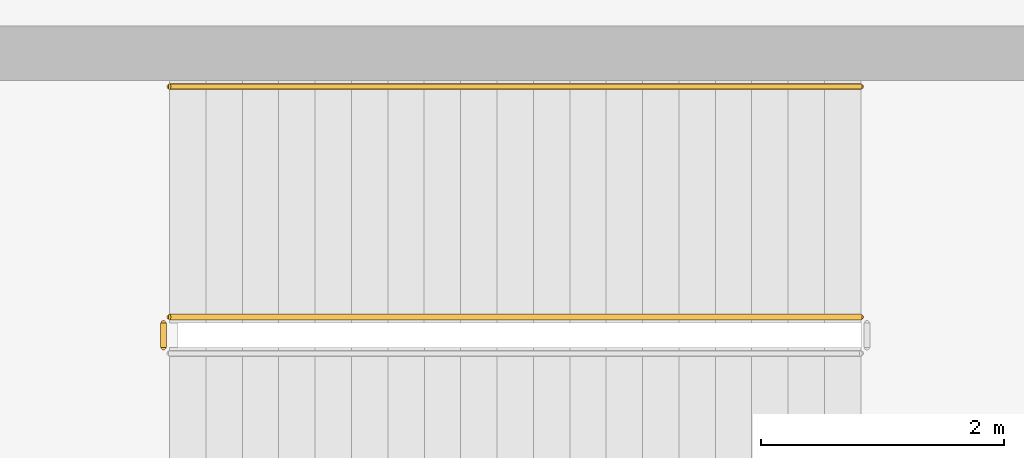
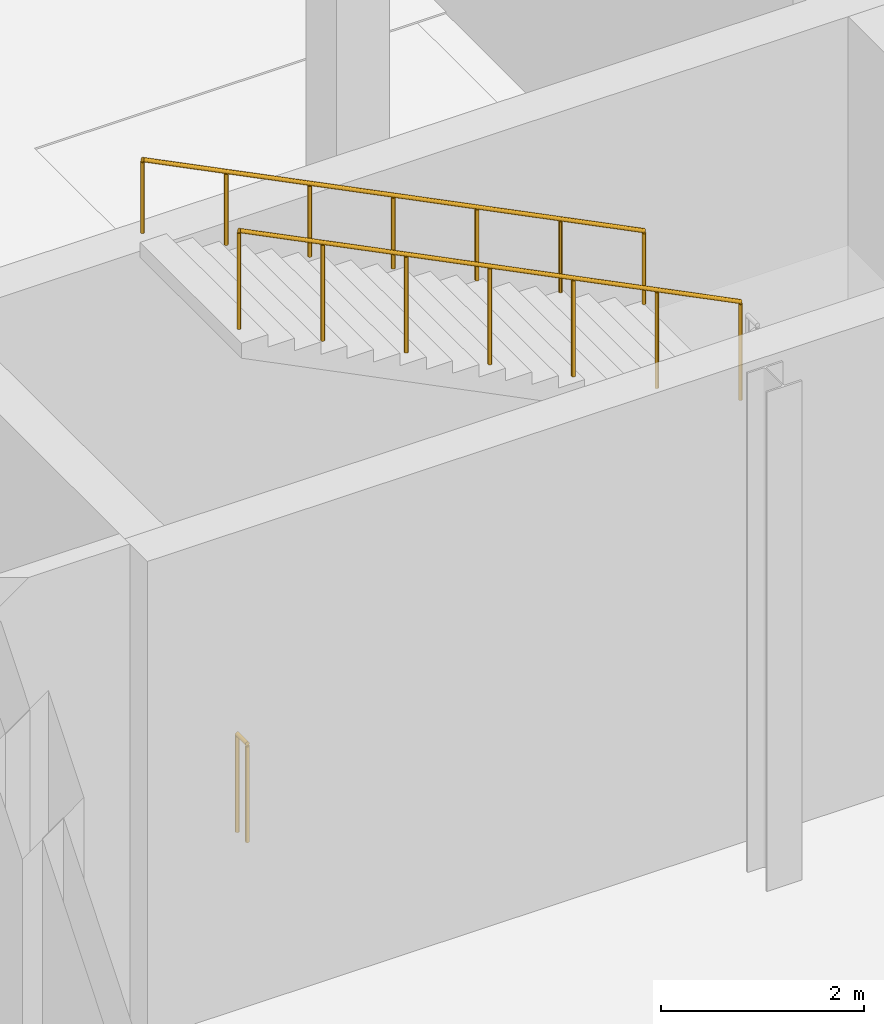
# One storey, part 68 of 85: 3 railings.
"""IFC4 building model written with IfcOpenShell, lengths in metres."""

from ifc_helpers import new_model, si_unit, direction, frame, origin, origin_2d, place, context, subcontext, project, spatial, circle, extrude, material, type_object, element, save


model = new_model("IFC4")

# Units and contexts
model_context = context("Model", 3, precision=1e-05, world=origin(), true_north=direction((0.0, 1.0)))
body_context = subcontext(model_context, "Body", "Model", "MODEL_VIEW")
ifc_project = project(units=[si_unit("LENGTHUNIT", "METRE"), si_unit("AREAUNIT", "SQUARE_METRE"), si_unit("VOLUMEUNIT", "CUBIC_METRE"), si_unit("PLANEANGLEUNIT", "RADIAN"), si_unit("MASSUNIT", "GRAM", prefix="KILO"), si_unit("THERMODYNAMICTEMPERATUREUNIT", "KELVIN")], contexts=[model_context])

# Site, building, storey
site_placement = place(None, origin())
site = spatial("IfcSite", under=ifc_project, at=site_placement, CompositionType="ELEMENT")
building_placement = place(site_placement, origin())
building = spatial("IfcBuilding", under=site, at=building_placement, Name="Lustrewick Department Store", CompositionType="ELEMENT")
storey_placement = place(building_placement, origin())
storey = spatial("IfcBuildingStorey", under=building, at=storey_placement, Name="L01", CompositionType="ELEMENT", Elevation=0.0)

# Railings
ifc_material_1 = material(Name="Painted tubular steel stairwell guardrail", Category="steel")
railing_type_1 = type_object("IfcRailingType", Name="RL-STG", PredefinedType="GUARDRAIL", material=ifc_material_1)
railing_1_placement = place(storey_placement, frame((127.550048828125, 20.14990234375, 3.14990234375)))
element("IfcRailing", 1, at=railing_1_placement, inside=storey, type_object=railing_type_1, Name="L01 ST07 Stair Guard 3", PredefinedType="GUARDRAIL", context=body_context, shape_type="SweptSolid", body=[
    extrude(circle(Radius=0.02392578125, at=origin_2d()), frame((0.0, 0.0, 1.17578125), z_axis=(-0.894419528903, 0.0, 0.447228919365), x_axis=(0.0, -1.0, 0.0)), (0.0, 0.0, 1.0), 6.372802734375),
    extrude(circle(Radius=0.02099609375, at=origin_2d()), origin(), (0.0, 0.0, 1.0), 1.15185546875),
    extrude(circle(Radius=0.02099609375, at=origin_2d()), frame((-0.949951171875, 0.0, 0.47509765625)), (0.0, 0.0, 1.0), 1.15185546875),
    extrude(circle(Radius=0.02099609375, at=origin_2d()), frame((-1.89990234375, 0.0, 0.949951171875)), (0.0, 0.0, 1.0), 1.15185546875),
    extrude(circle(Radius=0.02099609375, at=origin_2d()), frame((-2.85009765625, 0.0, 1.425048828125)), (0.0, 0.0, 1.0), 1.15185546875),
    extrude(circle(Radius=0.02099609375, at=origin_2d()), frame((-3.800048828125, 0.0, 1.900146484375)), (0.0, 0.0, 1.0), 1.15185546875),
    extrude(circle(Radius=0.02099609375, at=origin_2d()), frame((-4.75, 0.0, 2.375)), (0.0, 0.0, 1.0), 1.15185546875),
    extrude(circle(Radius=0.02099609375, at=origin_2d()), frame((-5.699951171875, 0.0, 2.85009765625)), (0.0, 0.0, 1.0), 1.15185546875),
])
railing_2_placement = place(storey_placement, frame((121.800048828125, 19.89990234375, 0.0)))
element("IfcRailing", 2, at=railing_2_placement, inside=storey, type_object=railing_type_1, Name="L01 ST07 Stair Guard 4", PredefinedType="GUARDRAIL", context=body_context, shape_type="SweptSolid", body=[
    extrude(circle(Radius=0.02392578125, at=origin_2d()), frame((0.0, 0.0, 1.17578125), z_axis=(0.0, 1.0, 0.0), x_axis=(-1.0, 0.0, 0.0)), (0.0, 0.0, 1.0), 0.2001953125),
    extrude(circle(Radius=0.02099609375, at=origin_2d()), origin(), (0.0, 0.0, 1.0), 1.15185546875),
    extrude(circle(Radius=0.02099609375, at=origin_2d()), frame((0.0, 0.2001953125, 0.0)), (0.0, 0.0, 1.0), 1.15185546875),
])
ifc_material_2 = material(Name="Brushed stainless steel wall handrail", Category="steel")
railing_type_2 = type_object("IfcRailingType", Name="RL-STH", PredefinedType="HANDRAIL", material=ifc_material_2)
railing_3_placement = place(storey_placement, frame((127.550048828125, 22.050048828125, 3.14990234375)))
element("IfcRailing", 3, at=railing_3_placement, inside=storey, type_object=railing_type_2, Name="L01 ST07 Stair Handrail 2", PredefinedType="HANDRAIL", context=body_context, shape_type="SweptSolid", body=[
    extrude(circle(Radius=0.02392578125, at=origin_2d()), frame((0.0, 0.0, 0.8759765625), z_axis=(-0.894419528903, 0.0, 0.447228919365), x_axis=(0.0, -1.0, 0.0)), (0.0, 0.0, 1.0), 6.372802734375),
    extrude(circle(Radius=0.02099609375, at=origin_2d()), origin(), (0.0, 0.0, 1.0), 0.851806640625),
    extrude(circle(Radius=0.02099609375, at=origin_2d()), frame((-0.949951171875, 0.0, 0.47509765625)), (0.0, 0.0, 1.0), 0.851806640625),
    extrude(circle(Radius=0.02099609375, at=origin_2d()), frame((-1.89990234375, 0.0, 0.949951171875)), (0.0, 0.0, 1.0), 0.851806640625),
    extrude(circle(Radius=0.02099609375, at=origin_2d()), frame((-2.85009765625, 0.0, 1.425048828125)), (0.0, 0.0, 1.0), 0.851806640625),
    extrude(circle(Radius=0.02099609375, at=origin_2d()), frame((-3.800048828125, 0.0, 1.900146484375)), (0.0, 0.0, 1.0), 0.851806640625),
    extrude(circle(Radius=0.02099609375, at=origin_2d()), frame((-4.75, 0.0, 2.375)), (0.0, 0.0, 1.0), 0.851806640625),
    extrude(circle(Radius=0.02099609375, at=origin_2d()), frame((-5.699951171875, 0.0, 2.85009765625)), (0.0, 0.0, 1.0), 0.851806640625),
])

save(model, "model.ifc")
